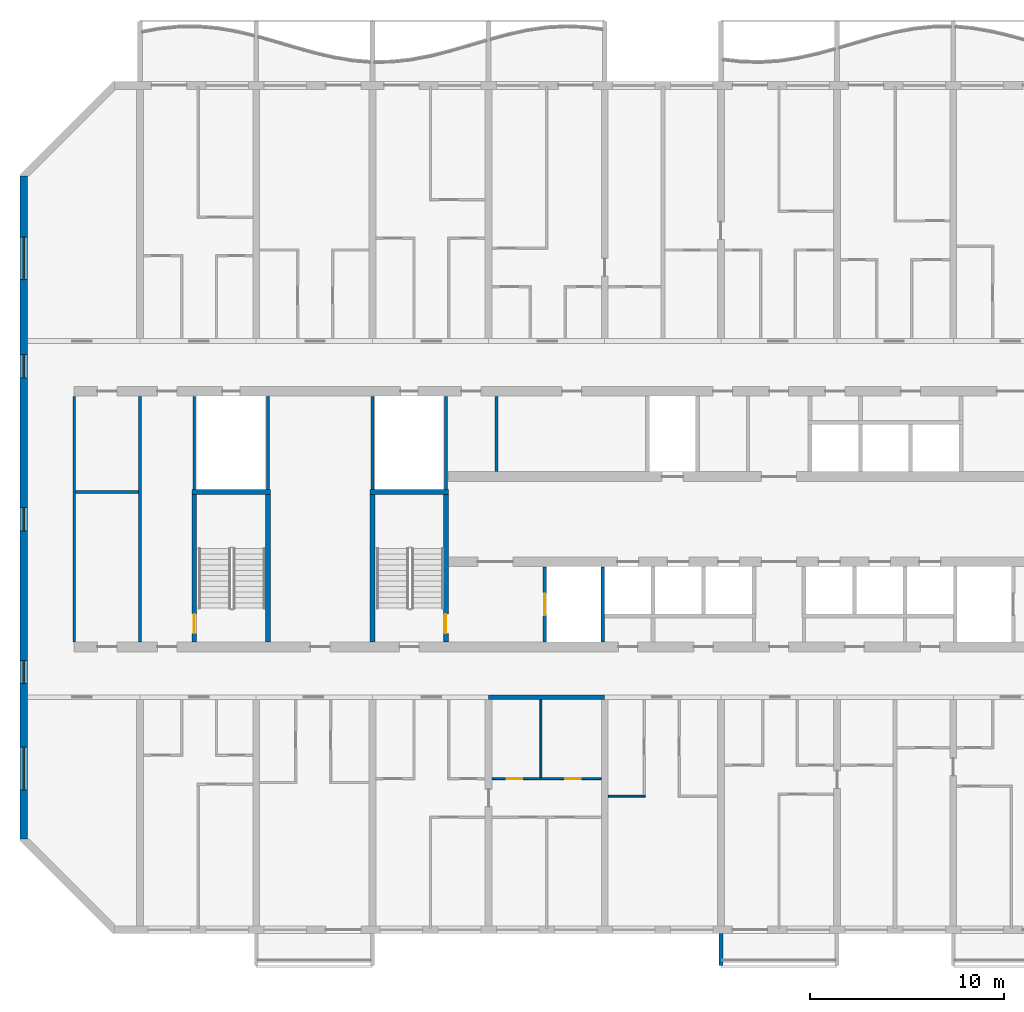
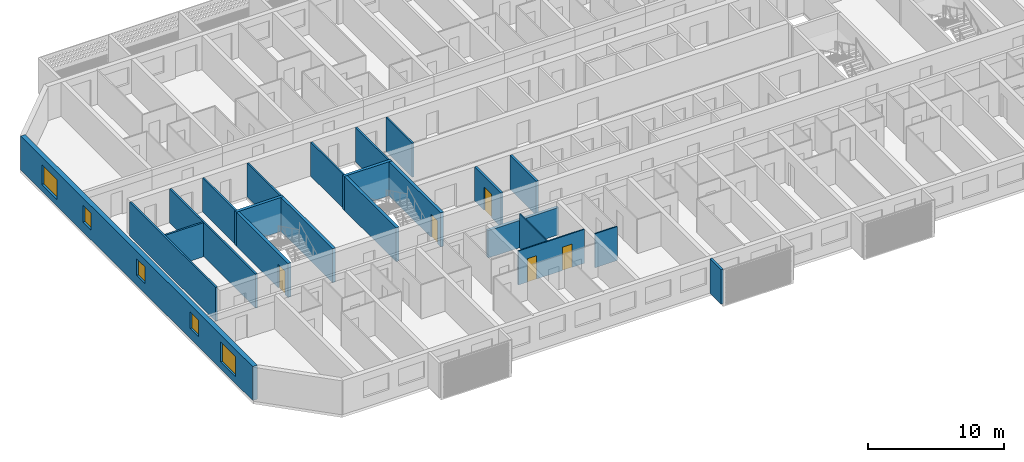
# One storey, part 3 of 24: 22 walls, 5 doors, 5 windows, 10 openings.
"""IFC4 building model written with IfcOpenShell, lengths in metres."""

from ifc_helpers import new_model, si_unit, direction, frame, frame_2d, origin, place, context, subcontext, project, spatial, polyline, rectangle, outline, extrude, source, transform, mapped, material, layer, layer_set, type_object, element, fill, save


model = new_model("IFC4")

# Units and contexts
model_context = context("Model", 3, precision=1e-05, world=origin(), true_north=direction((0.0, 1.0)))
body_context = subcontext(model_context, "Body", "Model", "MODEL_VIEW")
ifc_project = project(units=[si_unit("LENGTHUNIT", "METRE"), si_unit("AREAUNIT", "SQUARE_METRE"), si_unit("VOLUMEUNIT", "CUBIC_METRE"), si_unit("PLANEANGLEUNIT", "RADIAN"), si_unit("MASSUNIT", "GRAM", prefix="KILO")], contexts=[model_context])

# Site, building, storey
site_placement = place(None, origin())
site = spatial("IfcSite", under=ifc_project, at=site_placement, CompositionType="ELEMENT")
building_placement = place(site_placement, origin())
building = spatial("IfcBuilding", under=site, at=building_placement, Name="Poui Terraces", CompositionType="ELEMENT")
storey_placement = place(building_placement, frame((0.0, 0.0, 109.199951171875)))
storey = spatial("IfcBuildingStorey", under=building, at=storey_placement, Name="L30", CompositionType="ELEMENT", Elevation=109.199951171875)

# Walls
ifc_material_1 = material(Name="Fire-rated plasterboard wall")
ifc_layer_1 = layer(ifc_material_1, 0.14990234375)
ifc_layer_set_1 = layer_set([ifc_layer_1], Name="Fire-rated plasterboard wall")
wall_type_1 = type_object("IfcWallType", Name="CORRIDOR WALL 150", PredefinedType="PARTITIONING", material=ifc_layer_set_1)
for number, where, z_axis, x_axis, name in (
    (1, (14.60009765625, 14.860107421875, 0.0), (0.0, 0.0, 1.0), (0.0, 1.0, 0.0), "CORRIDOR WALL 150"),
    (2, (18.0, 14.860107421875, 0.0), (0.0, 0.0, 1.0), (0.0, 1.0, 0.0), "CORRIDOR WALL 150"),
):
    element("IfcWall", number, at=place(storey_placement, frame(where, z_axis=z_axis, x_axis=x_axis)), inside=storey, type_object=wall_type_1, Name=name, PredefinedType="PARTITIONING", context=body_context, shape_type="SweptSolid", body=[
        extrude(rectangle(XDim=12.679931640625, YDim=0.14990234375, at=frame_2d((6.33984375, 0.0))), origin(), (0.0, 0.0, 1.0), 3.06005859375),
    ])
ifc_material_2 = material(Name="Concrete 65 MPa", Category="concrete")
ifc_layer_2 = layer(ifc_material_2, 0.25)
ifc_layer_set_2 = layer_set([ifc_layer_2], Name="Concrete 65 MPa")
wall_type_2 = type_object("IfcWallType", Name="CORRIDOR WALL 250 65MPa", PredefinedType="SHEAR", material=ifc_layer_set_2)
wall_1_placement = place(storey_placement, frame((36.0, 12.0, 0.0), z_axis=(0.0, 0.0, 1.0), x_axis=(1.0, 0.0, 0.0)))
element("IfcWall", 3, at=wall_1_placement, inside=storey, type_object=wall_type_2, Name="CORRIDOR WALL LINE B BAY 5", PredefinedType="SHEAR", context=body_context, shape_type="SweptSolid", body=[
    extrude(rectangle(XDim=6.0, YDim=0.25, at=frame_2d((3.0, 0.0))), origin(), (0.0, 0.0, 1.0), 2.4599609375),
])

# Wall, openings, windows
ifc_layer_3 = layer(ifc_material_2, 0.39990234375)
ifc_layer_set_3 = layer_set([ifc_layer_3], Name="Concrete 65 MPa")
wall_type_3 = type_object("IfcWallType", Name="END WALL 400 65MPa", PredefinedType="SHEAR", material=ifc_layer_set_3)
wall_2_placement = place(storey_placement, frame((12.0, 4.682861328125, 0.0), z_axis=(0.0, 0.0, 1.0), x_axis=(0.0, 1.0, 0.0)))
wall_2 = element("IfcWall", 4, at=wall_2_placement, inside=storey, type_object=wall_type_3, Name="END WALL WEST", PredefinedType="SHEAR", context=body_context, shape_type="SweptSolid", body=[
    extrude(rectangle(XDim=34.234375, YDim=0.39990234375, at=frame_2d((17.1171875, 0.0))), origin(), (0.0, 0.0, 1.0), 3.06005859375),
])
opening_1_placement = place(wall_2_placement, frame((23.817138671875, 0.0, 0.89990234375)))
opening_1 = element("IfcOpeningElement", 5, at=opening_1_placement, cuts=wall_2, Name="Opening W2", PredefinedType="OPENING", context=body_context, shape_type="SweptSolid", body=[
    extrude(rectangle(XDim=1.199951171875, YDim=1.5, at=frame_2d((0.60009765625, 0.75))), frame((0.0, 0.2099609375, 0.0), z_axis=(0.0, -1.0, 0.0), x_axis=(1.0, 0.0, 0.0)), (0.0, 0.0, 1.0), 0.419921875),
])
opening_2_placement = place(wall_2_placement, frame((8.01708984375, 0.0, 0.89990234375)))
opening_2 = element("IfcOpeningElement", 6, at=opening_2_placement, cuts=wall_2, Name="Opening W2", PredefinedType="OPENING", context=body_context, shape_type="SweptSolid", body=[
    extrude(rectangle(XDim=1.199951171875, YDim=1.5, at=frame_2d((0.60009765625, 0.75))), frame((0.0, 0.2099609375, 0.0), z_axis=(0.0, -1.0, 0.0), x_axis=(1.0, 0.0, 0.0)), (0.0, 0.0, 1.0), 0.419921875),
])
opening_3_placement = place(wall_2_placement, frame((15.917236328125, 0.0, 0.89990234375)))
opening_3 = element("IfcOpeningElement", 7, at=opening_3_placement, cuts=wall_2, Name="Opening W2", PredefinedType="OPENING", context=body_context, shape_type="SweptSolid", body=[
    extrude(rectangle(XDim=1.199951171875, YDim=1.5, at=frame_2d((0.60009765625, 0.75))), frame((0.0, 0.2099609375, 0.0), z_axis=(0.0, -1.0, 0.0), x_axis=(1.0, 0.0, 0.0)), (0.0, 0.0, 1.0), 0.419921875),
])
opening_4_placement = place(wall_2_placement, frame((28.8935546875, 0.0, 0.60009765625)))
opening_4 = element("IfcOpeningElement", 8, at=opening_4_placement, cuts=wall_2, Name="Opening W3", PredefinedType="OPENING", context=body_context, shape_type="SweptSolid", body=[
    extrude(rectangle(XDim=2.199951171875, YDim=1.800048828125, at=frame_2d((1.10009765625, 0.89990234375))), frame((0.0, 0.2099609375, 0.0), z_axis=(0.0, -1.0, 0.0), x_axis=(1.0, 0.0, 0.0)), (0.0, 0.0, 1.0), 0.419921875),
])
opening_5_placement = place(wall_2_placement, frame((2.541015625, 0.0, 0.60009765625)))
opening_5 = element("IfcOpeningElement", 9, at=opening_5_placement, cuts=wall_2, Name="Opening W3", PredefinedType="OPENING", context=body_context, shape_type="SweptSolid", body=[
    extrude(rectangle(XDim=2.199951171875, YDim=1.800048828125, at=frame_2d((1.10009765625, 0.89990234375))), frame((0.0, 0.2099609375, 0.0), z_axis=(0.0, -1.0, 0.0), x_axis=(1.0, 0.0, 0.0)), (0.0, 0.0, 1.0), 0.419921875),
])
ifc_material_3 = material(Name="Clear glass in aluminium frame", Category="aluminium")
window_type_1 = type_object("IfcWindowType", Name="WINDOW 1200X1500", PartitioningType="SINGLE_PANEL", PredefinedType="WINDOW", material=ifc_material_3)
window_1_placement = place(opening_1_placement, origin())
window_1 = element("IfcWindow", 10, at=window_1_placement, inside=storey, type_object=window_type_1, Name="W2 WINDOW", OverallHeight=1.5, OverallWidth=1.199951171875, PartitioningType="SINGLE_PANEL", PredefinedType="WINDOW", context=body_context, shape_type="SweptSolid", body=[
    extrude(rectangle(XDim=1.199951171875, YDim=1.5, at=frame_2d((0.60009765625, 0.75))), frame((0.0, 0.030029296875, 0.0), z_axis=(0.0, -1.0, 0.0), x_axis=(1.0, 0.0, 0.0)), (0.0, 0.0, 1.0), 0.06005859375),
])
fill(opening_1, window_1)
window_2_placement = place(opening_2_placement, origin())
window_2 = element("IfcWindow", 11, at=window_2_placement, inside=storey, type_object=window_type_1, Name="W2 WINDOW", OverallHeight=1.5, OverallWidth=1.199951171875, PartitioningType="SINGLE_PANEL", PredefinedType="WINDOW", context=body_context, shape_type="SweptSolid", body=[
    extrude(rectangle(XDim=1.199951171875, YDim=1.5, at=frame_2d((0.60009765625, 0.75))), frame((0.0, 0.030029296875, 0.0), z_axis=(0.0, -1.0, 0.0), x_axis=(1.0, 0.0, 0.0)), (0.0, 0.0, 1.0), 0.06005859375),
])
fill(opening_2, window_2)
window_3_placement = place(opening_3_placement, origin())
window_3 = element("IfcWindow", 12, at=window_3_placement, inside=storey, type_object=window_type_1, Name="W2 WINDOW", OverallHeight=1.5, OverallWidth=1.199951171875, PartitioningType="SINGLE_PANEL", PredefinedType="WINDOW", context=body_context, shape_type="SweptSolid", body=[
    extrude(rectangle(XDim=1.199951171875, YDim=1.5, at=frame_2d((0.60009765625, 0.75))), frame((0.0, 0.030029296875, 0.0), z_axis=(0.0, -1.0, 0.0), x_axis=(1.0, 0.0, 0.0)), (0.0, 0.0, 1.0), 0.06005859375),
])
fill(opening_3, window_3)
window_type_2 = type_object("IfcWindowType", Name="WINDOW 2200X1800", PartitioningType="DOUBLE_PANEL_HORIZONTAL", PredefinedType="WINDOW", material=ifc_material_3)
window_4_placement = place(opening_4_placement, origin())
window_4 = element("IfcWindow", 13, at=window_4_placement, inside=storey, type_object=window_type_2, Name="W3 WINDOW", OverallHeight=1.800048828125, OverallWidth=2.199951171875, PartitioningType="DOUBLE_PANEL_HORIZONTAL", PredefinedType="WINDOW", context=body_context, shape_type="SweptSolid", body=[
    extrude(rectangle(XDim=2.199951171875, YDim=1.800048828125, at=frame_2d((1.10009765625, 0.89990234375))), frame((0.0, 0.030029296875, 0.0), z_axis=(0.0, -1.0, 0.0), x_axis=(1.0, 0.0, 0.0)), (0.0, 0.0, 1.0), 0.06005859375),
])
fill(opening_4, window_4)
window_5_placement = place(opening_5_placement, origin())
window_5 = element("IfcWindow", 14, at=window_5_placement, inside=storey, type_object=window_type_2, Name="W3 WINDOW", OverallHeight=1.800048828125, OverallWidth=2.199951171875, PartitioningType="DOUBLE_PANEL_HORIZONTAL", PredefinedType="WINDOW", context=body_context, shape_type="SweptSolid", body=[
    extrude(rectangle(XDim=2.199951171875, YDim=1.800048828125, at=frame_2d((1.10009765625, 0.89990234375))), frame((0.0, 0.030029296875, 0.0), z_axis=(0.0, -1.0, 0.0), x_axis=(1.0, 0.0, 0.0)), (0.0, 0.0, 1.0), 0.06005859375),
])
fill(opening_5, window_5)

# Wall
ifc_material_4 = material(Name="Plasterboard partition")
ifc_layer_4 = layer(ifc_material_4, 0.10009765625)
ifc_layer_set_4 = layer_set([ifc_layer_4], Name="Plasterboard partition")
wall_type_4 = type_object("IfcWallType", Name="FLAT PARTITION 100", PredefinedType="PARTITIONING", material=ifc_layer_set_4)
wall_3_placement = place(storey_placement, frame((42.18505859375, 6.89990234375, 0.0), z_axis=(0.0, 0.0, 1.0), x_axis=(1.0, 0.0, 0.0)))
element("IfcWall", 15, at=wall_3_placement, inside=storey, type_object=wall_type_4, Name="FLAT PARTITION 100", PredefinedType="PARTITIONING", context=body_context, shape_type="SweptSolid", body=[
    extrude(rectangle(XDim=1.9150390625, YDim=0.10009765625, at=frame_2d((0.95751953125, 0.0))), origin(), (0.0, 0.0, 1.0), 3.06005859375),
])

# Wall, openings, doors
wall_4_placement = place(storey_placement, frame((36.18505859375, 7.800048828125, 0.0), z_axis=(0.0, 0.0, 1.0), x_axis=(1.0, 0.0, 0.0)))
wall_4 = element("IfcWall", 16, at=wall_4_placement, inside=storey, type_object=wall_type_4, Name="FLAT PARTITION 100", PredefinedType="PARTITIONING", context=body_context, shape_type="SweptSolid", body=[
    extrude(rectangle(XDim=5.6298828125, YDim=0.10009765625, at=frame_2d((2.81494140625, 0.0))), origin(), (0.0, 0.0, 1.0), 3.06005859375),
])
opening_6_placement = place(wall_4_placement, frame((0.764892578125, 0.0, 0.0)))
opening_6 = element("IfcOpeningElement", 17, at=opening_6_placement, cuts=wall_4, Name="Opening D80", PredefinedType="OPENING", context=body_context, shape_type="SweptSolid", body=[
    extrude(rectangle(XDim=0.800048828125, YDim=2.10009765625, at=frame_2d((0.39990234375, 1.050048828125))), frame((0.0, 0.06005859375, 0.0), z_axis=(0.0, -1.0, 0.0), x_axis=(1.0, 0.0, 0.0)), (0.0, 0.0, 1.0), 0.1201171875),
])
opening_7_placement = place(wall_4_placement, frame((3.764892578125, 0.0, 0.0)))
opening_7 = element("IfcOpeningElement", 18, at=opening_7_placement, cuts=wall_4, Name="Opening D80", PredefinedType="OPENING", context=body_context, shape_type="SweptSolid", body=[
    extrude(rectangle(XDim=0.800048828125, YDim=2.10009765625, at=frame_2d((0.39990234375, 1.050048828125))), frame((0.0, 0.06005859375, 0.0), z_axis=(0.0, -1.0, 0.0), x_axis=(1.0, 0.0, 0.0)), (0.0, 0.0, 1.0), 0.1201171875),
])
ifc_material_5 = material(Name="Solid core timber door", Category="wood")
door_type_1 = type_object("IfcDoorType", Name="BATHROOM, LAUNDRY AND STORE DOOR 800 X 2100", OperationType="NOTDEFINED", PredefinedType="DOOR", material=ifc_material_5)
door_1_placement = place(opening_6_placement, origin())
door_1 = element("IfcDoor", 19, at=door_1_placement, inside=storey, type_object=door_type_1, Name="BATHROOM, LAUNDRY AND STORE DOOR 083", OperationType="SINGLE_SWING_RIGHT", OverallHeight=2.10009765625, OverallWidth=0.800048828125, PredefinedType="DOOR", context=body_context, shape_type="SweptSolid", body=[
    extrude(rectangle(XDim=0.800048828125, YDim=2.10009765625, at=frame_2d((0.39990234375, 1.050048828125))), frame((0.0, 0.02490234375, 0.0), z_axis=(0.0, -1.0, 0.0), x_axis=(1.0, 0.0, 0.0)), (0.0, 0.0, 1.0), 0.050048828125),
])
fill(opening_6, door_1)
door_2_placement = place(opening_7_placement, origin())
door_2 = element("IfcDoor", 20, at=door_2_placement, inside=storey, type_object=door_type_1, Name="BATHROOM, LAUNDRY AND STORE DOOR 086", OperationType="SINGLE_SWING_LEFT", OverallHeight=2.10009765625, OverallWidth=0.800048828125, PredefinedType="DOOR", context=body_context, shape_type="SweptSolid", body=[
    extrude(rectangle(XDim=0.800048828125, YDim=2.10009765625, at=frame_2d((0.39990234375, 1.050048828125))), frame((0.0, 0.02490234375, 0.0), z_axis=(0.0, -1.0, 0.0), x_axis=(1.0, 0.0, 0.0)), (0.0, 0.0, 1.0), 0.050048828125),
])
fill(opening_7, door_2)

# Walls
wall_5_placement = place(storey_placement, frame((38.699951171875, 7.85009765625, 0.0), z_axis=(0.0, 0.0, 1.0), x_axis=(0.0, 1.0, 0.0)))
element("IfcWall", 21, at=wall_5_placement, inside=storey, type_object=wall_type_4, Name="FLAT PARTITION 100", PredefinedType="PARTITIONING", context=body_context, shape_type="SweptSolid", body=[
    extrude(rectangle(XDim=4.014892578125, YDim=0.10009765625, at=frame_2d((2.00732421875, 0.0))), origin(), (0.0, 0.0, 1.0), 3.06005859375),
])
ifc_layer_5 = layer(ifc_material_4, 0.14990234375)
ifc_layer_set_5 = layer_set([ifc_layer_5], Name="Plasterboard partition")
wall_type_5 = type_object("IfcWallType", Name="PARTITION WALL 150", PredefinedType="PARTITIONING", material=ifc_layer_set_5)
wall_6_placement = place(storey_placement, frame((14.675048828125, 22.60009765625, 0.0), z_axis=(0.0, 0.0, 1.0), x_axis=(1.0, 0.0, 0.0)))
element("IfcWall", 22, at=wall_6_placement, inside=storey, type_object=wall_type_5, Name="PARTITION WALL 150", PredefinedType="PARTITIONING", context=body_context, shape_type="SweptSolid", body=[
    extrude(rectangle(XDim=3.25, YDim=0.14990234375, at=frame_2d((1.625, 0.0))), origin(), (0.0, 0.0, 1.0), 3.06005859375),
])
wall_7_placement = place(storey_placement, frame((36.39990234375, 23.659912109375, 0.0), z_axis=(0.0, 0.0, 1.0), x_axis=(0.0, 1.0, 0.0)))
element("IfcWall", 23, at=wall_7_placement, inside=storey, type_object=wall_type_5, Name="PARTITION WALL 150", PredefinedType="PARTITIONING", context=body_context, shape_type="SweptSolid", body=[
    extrude(rectangle(XDim=3.880126953125, YDim=0.14990234375, at=frame_2d((1.93994140625, 0.0))), origin(), (0.0, 0.0, 1.0), 3.06005859375),
])
ifc_material_6 = material(Name="Fire-rated plasterboard riser wall")
ifc_layer_6 = layer(ifc_material_6, 0.14990234375)
ifc_layer_set_6 = layer_set([ifc_layer_6], Name="Fire-rated plasterboard riser wall")
wall_type_6 = type_object("IfcWallType", Name="RISER WALL 150", PredefinedType="PARTITIONING", material=ifc_layer_set_6)
for number, where, z_axis, x_axis, name in (
    (24, (20.800048828125, 22.735107421875, 0.0), (0.0, 0.0, 1.0), (0.0, 1.0, 0.0), "RISER WALL 150"),
    (25, (24.60009765625, 22.735107421875, 0.0), (0.0, 0.0, 1.0), (0.0, 1.0, 0.0), "RISER WALL 150"),
    (26, (30.0, 22.735107421875, 0.0), (0.0, 0.0, 1.0), (0.0, 1.0, 0.0), "RISER WALL 150"),
    (27, (33.800048828125, 22.735107421875, 0.0), (0.0, 0.0, 1.0), (0.0, 1.0, 0.0), "RISER WALL 150"),
):
    element("IfcWall", number, at=place(storey_placement, frame(where, z_axis=z_axis, x_axis=x_axis)), inside=storey, type_object=wall_type_6, Name=name, PredefinedType="PARTITIONING", context=body_context, shape_type="SweptSolid", body=[
        extrude(rectangle(XDim=4.804931640625, YDim=0.14990234375, at=frame_2d((2.40234375, 0.0))), origin(), (0.0, 0.0, 1.0), 3.06005859375),
    ])

# Wall, opening, door
ifc_material_7 = material(Name="Fire-rated masonry shaft wall", Category="masonry")
ifc_layer_7 = layer(ifc_material_7, 0.199951171875)
ifc_layer_set_7 = layer_set([ifc_layer_7], Name="Fire-rated masonry shaft wall")
wall_type_7 = type_object("IfcWallType", Name="SHAFT WALL 200", PredefinedType="PARTITIONING", material=ifc_layer_set_7)
wall_8_placement = place(storey_placement, frame((38.89990234375, 14.860107421875, 0.0), z_axis=(0.0, 0.0, 1.0), x_axis=(0.0, 1.0, 0.0)))
wall_8 = element("IfcWall", 28, at=wall_8_placement, inside=storey, type_object=wall_type_7, Name="SHAFT WALL 200", PredefinedType="PARTITIONING", context=body_context, shape_type="SweptSolid", body=[
    extrude(rectangle(XDim=3.8798828125, YDim=0.199951171875, at=frame_2d((1.93994140625, 0.0))), origin(), (0.0, 0.0, 1.0), 3.06005859375),
])
opening_8_placement = place(wall_8_placement, frame((1.389892578125, 0.0, 0.0)))
opening_8 = element("IfcOpeningElement", 29, at=opening_8_placement, cuts=wall_8, Name="Opening LD", PredefinedType="OPENING", context=body_context, shape_type="SweptSolid", body=[
    extrude(rectangle(XDim=1.10009765625, YDim=2.10009765625, at=frame_2d((0.550048828125, 1.050048828125))), frame((0.0, 0.10986328125, 0.0), z_axis=(0.0, -1.0, 0.0), x_axis=(1.0, 0.0, 0.0)), (0.0, 0.0, 1.0), 0.219970703125),
])
ifc_material_8 = material(Name="Stainless steel sliding door", Category="steel")
door_type_2 = type_object("IfcDoorType", Name="LIFT LANDING DOOR 1100 X 2100", OperationType="DOUBLE_DOOR_SLIDING", PredefinedType="DOOR", material=ifc_material_8)
door_3_placement = place(opening_8_placement, origin())
door_3 = element("IfcDoor", 30, at=door_3_placement, inside=storey, type_object=door_type_2, Name="LANDING DOOR", OperationType="DOUBLE_DOOR_SLIDING", OverallHeight=2.10009765625, OverallWidth=1.10009765625, PredefinedType="DOOR", context=body_context, shape_type="SweptSolid", body=[
    extrude(rectangle(XDim=1.10009765625, YDim=2.10009765625, at=frame_2d((0.550048828125, 1.050048828125))), frame((0.0, 0.02490234375, 0.0), z_axis=(0.0, -1.0, 0.0), x_axis=(1.0, 0.0, 0.0)), (0.0, 0.0, 1.0), 0.050048828125),
])
fill(opening_8, door_3)

# Walls
wall_9_placement = place(storey_placement, frame((41.89990234375, 14.860107421875, 0.0), z_axis=(0.0, 0.0, 1.0), x_axis=(0.0, 1.0, 0.0)))
element("IfcWall", 31, at=wall_9_placement, inside=storey, type_object=wall_type_7, Name="SHAFT WALL 200", PredefinedType="PARTITIONING", context=body_context, shape_type="SweptSolid", body=[
    extrude(rectangle(XDim=3.8798828125, YDim=0.199951171875, at=frame_2d((1.93994140625, 0.0))), origin(), (0.0, 0.0, 1.0), 3.06005859375),
])
ifc_layer_8 = layer(ifc_material_2, 0.25)
ifc_layer_set_8 = layer_set([ifc_layer_8], Name="Concrete 65 MPa")
wall_type_8 = type_object("IfcWallType", Name="STAIR CORE WALL 250 65 MPA", PredefinedType="SOLIDWALL", material=ifc_layer_set_8)
wall_10_placement = place(storey_placement, frame((30.0, 14.85009765625, 0.0), z_axis=(0.0, 0.0, 1.0), x_axis=(0.0, 1.0, 0.0)))
element("IfcWall", 32, at=wall_10_placement, inside=storey, type_object=wall_type_8, Name="STAIR CORE WALL", PredefinedType="SOLIDWALL", context=body_context, shape_type="SweptSolid", body=[
    extrude(rectangle(XDim=7.625, YDim=0.25, at=frame_2d((3.8125, 0.0))), origin(), (0.0, 0.0, 1.0), 3.06005859375),
])

# Wall, opening, door
wall_11_placement = place(storey_placement, frame((33.800048828125, 14.85009765625, 0.0), z_axis=(0.0, 0.0, 1.0), x_axis=(0.0, 1.0, 0.0)))
wall_11 = element("IfcWall", 33, at=wall_11_placement, inside=storey, type_object=wall_type_8, Name="STAIR CORE WALL", PredefinedType="SOLIDWALL", context=body_context, shape_type="SweptSolid", body=[
    extrude(rectangle(XDim=7.625, YDim=0.25, at=frame_2d((3.8125, 0.0))), origin(), (0.0, 0.0, 1.0), 3.06005859375),
])
opening_9_placement = place(wall_11_placement, frame((0.449951171875, 0.0, 0.0)))
opening_9 = element("IfcOpeningElement", 34, at=opening_9_placement, cuts=wall_11, Name="Opening FD60S", PredefinedType="OPENING", context=body_context, shape_type="SweptSolid", body=[
    extrude(rectangle(XDim=1.0, YDim=2.10009765625, at=frame_2d((0.5, 1.050048828125))), frame((0.0, 0.135009765625, 0.0), z_axis=(0.0, -1.0, 0.0), x_axis=(1.0, 0.0, 0.0)), (0.0, 0.0, 1.0), 0.27001953125),
])
ifc_material_9 = material(Name="Steel fire door", Category="steel")
door_type_3 = type_object("IfcDoorType", Name="STAIR DOOR 1000 X 2100", OperationType="NOTDEFINED", PredefinedType="DOOR", material=ifc_material_9)
door_4_placement = place(opening_9_placement, origin())
door_4 = element("IfcDoor", 35, at=door_4_placement, inside=storey, type_object=door_type_3, Name="STAIR DOOR 122", OperationType="SINGLE_SWING_LEFT", OverallHeight=2.10009765625, OverallWidth=1.0, PredefinedType="DOOR", context=body_context, shape_type="SweptSolid", body=[
    extrude(rectangle(XDim=1.0, YDim=2.10009765625, at=frame_2d((0.5, 1.050048828125))), frame((0.0, 0.02490234375, 0.0), z_axis=(0.0, -1.0, 0.0), x_axis=(1.0, 0.0, 0.0)), (0.0, 0.0, 1.0), 0.050048828125),
])
fill(opening_9, door_4)

# Wall
wall_12_placement = place(storey_placement, frame((29.875, 22.60009765625, 0.0), z_axis=(0.0, 0.0, 1.0), x_axis=(1.0, 0.0, 0.0)))
element("IfcWall", 36, at=wall_12_placement, inside=storey, type_object=wall_type_8, Name="STAIR CORE WALL", PredefinedType="SOLIDWALL", context=body_context, shape_type="SweptSolid", body=[
    extrude(rectangle(XDim=4.050048828125, YDim=0.25, at=frame_2d((2.02490234375, 0.0))), origin(), (0.0, 0.0, 1.0), 3.06005859375),
])

# Wall, opening, door
wall_13_placement = place(storey_placement, frame((20.800048828125, 14.85009765625, 0.0), z_axis=(0.0, 0.0, 1.0), x_axis=(0.0, 1.0, 0.0)))
wall_13 = element("IfcWall", 37, at=wall_13_placement, inside=storey, type_object=wall_type_8, Name="STAIR CORE WALL", PredefinedType="SOLIDWALL", context=body_context, shape_type="SweptSolid", body=[
    extrude(rectangle(XDim=7.625, YDim=0.25, at=frame_2d((3.8125, 0.0))), origin(), (0.0, 0.0, 1.0), 3.06005859375),
])
opening_10_placement = place(wall_13_placement, frame((0.449951171875, 0.0, 0.0)))
opening_10 = element("IfcOpeningElement", 38, at=opening_10_placement, cuts=wall_13, Name="Opening FD60S", PredefinedType="OPENING", context=body_context, shape_type="SweptSolid", body=[
    extrude(rectangle(XDim=1.0, YDim=2.10009765625, at=frame_2d((0.5, 1.050048828125))), frame((0.0, 0.135009765625, 0.0), z_axis=(0.0, -1.0, 0.0), x_axis=(1.0, 0.0, 0.0)), (0.0, 0.0, 1.0), 0.27001953125),
])
door_5_placement = place(opening_10_placement, frame((1.0, 0.0, 0.0), z_axis=(0.0, 0.0, 1.0), x_axis=(-1.0, 0.0, 0.0)))
door_5 = element("IfcDoor", 39, at=door_5_placement, inside=storey, type_object=door_type_3, Name="STAIR DOOR 136", OperationType="SINGLE_SWING_RIGHT", OverallHeight=2.10009765625, OverallWidth=1.0, PredefinedType="DOOR", context=body_context, shape_type="SweptSolid", body=[
    extrude(rectangle(XDim=1.0, YDim=2.10009765625, at=frame_2d((0.5, 1.050048828125))), frame((0.0, 0.02490234375, 0.0), z_axis=(0.0, -1.0, 0.0), x_axis=(1.0, 0.0, 0.0)), (0.0, 0.0, 1.0), 0.050048828125),
])
fill(opening_10, door_5)

# Walls
wall_14_placement = place(storey_placement, frame((24.60009765625, 14.85009765625, 0.0), z_axis=(0.0, 0.0, 1.0), x_axis=(0.0, 1.0, 0.0)))
element("IfcWall", 40, at=wall_14_placement, inside=storey, type_object=wall_type_8, Name="STAIR CORE WALL", PredefinedType="SOLIDWALL", context=body_context, shape_type="SweptSolid", body=[
    extrude(rectangle(XDim=7.625, YDim=0.25, at=frame_2d((3.8125, 0.0))), origin(), (0.0, 0.0, 1.0), 3.06005859375),
])
wall_15_placement = place(storey_placement, frame((20.675048828125, 22.60009765625, 0.0), z_axis=(0.0, 0.0, 1.0), x_axis=(1.0, 0.0, 0.0)))
element("IfcWall", 41, at=wall_15_placement, inside=storey, type_object=wall_type_8, Name="STAIR CORE WALL", PredefinedType="SOLIDWALL", context=body_context, shape_type="SweptSolid", body=[
    extrude(rectangle(XDim=4.050048828125, YDim=0.25, at=frame_2d((2.02490234375, 0.0))), origin(), (0.0, 0.0, 1.0), 3.06005859375),
])
ifc_material_10 = material(Name="Precast concrete 40 MPa", Category="concrete")
ifc_layer_9 = layer(ifc_material_10, 0.199951171875)
ifc_layer_set_9 = layer_set([ifc_layer_9], Name="Precast concrete 40 MPa")
wall_type_9 = type_object("IfcWallType", Name="REAR FIN 200", PredefinedType="STANDARD", material=ifc_layer_set_9)
shared_shape = source(origin(), body_context, "Body", "SweptSolid", [
    extrude(outline(polyline([(0.0, 0.0), (0.2001953125, 0.0), (0.2001953125, 1.650146484375), (0.0, 1.650146484375), (0.0, 0.0)])), origin(), (0.0, 0.0, 1.0), 3.10009765625),
])
wall_16_placement = place(storey_placement, frame((47.89990234375, -1.85009765625, 0.0)))
element("IfcWall", 42, at=wall_16_placement, inside=storey, type_object=wall_type_9, Name="REAR FIN", PredefinedType="STANDARD", context=body_context, shape_type="MappedRepresentation", body=[
    mapped(shared_shape, transform((0.0, 0.0, 0.0))),
])

save(model, "model.ifc")
